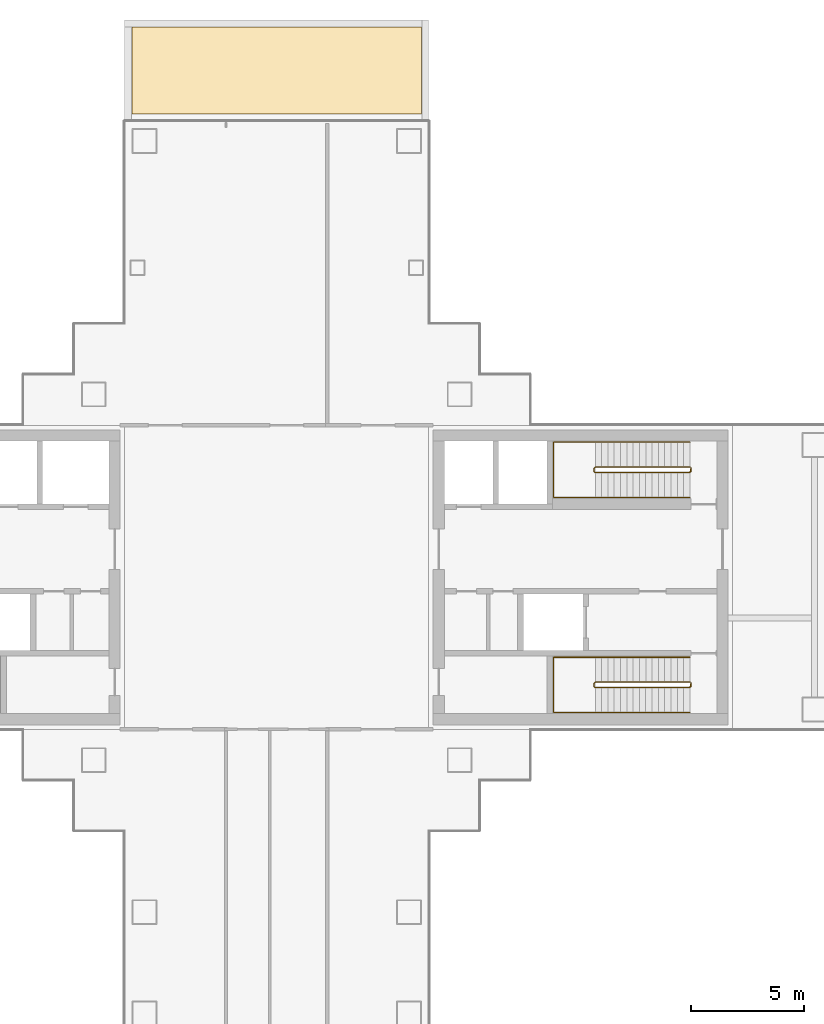
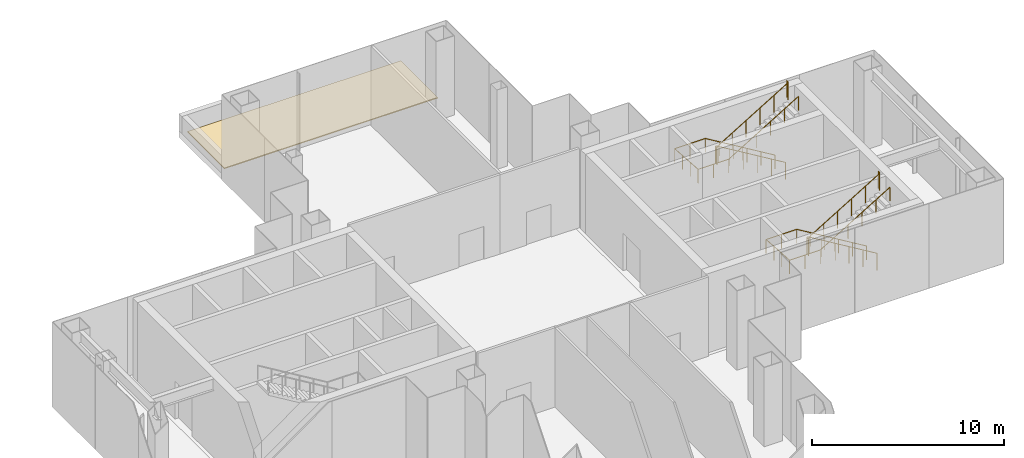
# One storey, part 15 of 15: 4 railings, 1 covering.
"""IFC4 building model written with IfcOpenShell, lengths in metres."""

import ifcopenshell
import ifcopenshell.guid

model = None  # the IFC model being written
_history = None  # IfcOwnerHistory: only IFC2X3 demands one
_inside = {}  # id of a spatial element -> (the spatial element, [elements in it])
_under = {}  # id of a project, library or spatial element -> (it, [spatial elements below it])
_declared = {}  # id of a project -> (the project, [libraries it declares])
_typed = {}  # id of a type object -> (the type object, [elements of that type])
_made_of = {}  # id of a material, layer set ... -> (it, [elements and type objects made of it])


def new_model(schema):
    """Start an empty IFC model of exactly this schema.

    Asked for "IFC4X3", IfcOpenShell would pick the latest addendum, in which some entities
    have other attributes; the version numbers below select the first issue.
    IFC2X3 requires an IfcOwnerHistory on every rooted entity: one is made here for all.
    """
    global model, _history
    if schema == "IFC4X3":
        model = ifcopenshell.file(schema_version=(4, 3, 0, 0))
    else:
        model = ifcopenshell.file(schema=schema)
    _inside.clear()
    _under.clear()
    _declared.clear()
    _typed.clear()
    _made_of.clear()
    _history = None
    if model.schema == "IFC2X3":
        org = make("IfcOrganization", Name="unknown")
        user = make(
            "IfcPersonAndOrganization",
            ThePerson=make("IfcPerson", FamilyName="unknown"),
            TheOrganization=org,
        )
        app = make(
            "IfcApplication",
            ApplicationDeveloper=org,
            Version="unknown",
            ApplicationFullName="unknown",
            ApplicationIdentifier="unknown",
        )
        _history = make(
            "IfcOwnerHistory",
            OwningUser=user,
            OwningApplication=app,
            ChangeAction="ADDED",
            CreationDate=0,
        )
    return model


def make(cls, **values):
    """One entity of the class cls with the attributes given. An attribute that is None is left unset."""
    return model.create_entity(
        cls, **{name: value for name, value in values.items() if value is not None}
    )


def rooted(cls, **values):
    """An entity with a GlobalId (a new one), such as an element, a storey or a relation."""
    return make(cls, GlobalId=ifcopenshell.guid.new(), OwnerHistory=_history, **values)


def si_unit(unit_type, name, prefix=None):
    """IfcSIUnit, for example si_unit("LENGTHUNIT", "METRE", prefix="MILLI")."""
    return make("IfcSIUnit", UnitType=unit_type, Prefix=prefix, Name=name)


def assignment(units):
    """IfcUnitAssignment: the units of a project."""
    return None if units is None else make("IfcUnitAssignment", Units=units)


def point(xyz):
    """IfcCartesianPoint."""
    return None if xyz is None else make("IfcCartesianPoint", Coordinates=xyz)


def direction(xyz):
    """IfcDirection."""
    return None if xyz is None else make("IfcDirection", DirectionRatios=xyz)


def frame(location, z_axis=None, x_axis=None):
    """IfcAxis2Placement3D, a coordinate frame: its origin and axes. An axis left out is left unset."""
    return make(
        "IfcAxis2Placement3D",
        Location=point(location),
        Axis=direction(z_axis),
        RefDirection=direction(x_axis),
    )


def frame_2d(location, x_axis=None):
    """IfcAxis2Placement2D, a coordinate frame in the plane: its origin and x axis."""
    return make(
        "IfcAxis2Placement2D", Location=point(location), RefDirection=direction(x_axis)
    )


def origin():
    """The frame at (0, 0, 0) with its axes left unset."""
    return frame((0.0, 0.0, 0.0))


def origin_2d():
    """The frame at (0, 0) in the plane with its x axis left unset."""
    return frame_2d((0.0, 0.0))


def place(relative_to, where):
    """IfcLocalPlacement: puts the frame where relative to a parent placement (None: the world)."""
    return make(
        "IfcLocalPlacement", PlacementRelTo=relative_to, RelativePlacement=where
    )


def context(
    kind, dimensions, precision=None, world=None, true_north=None, identifier=None
):
    """IfcGeometricRepresentationContext, for example the 3D "Model" context."""
    return make(
        "IfcGeometricRepresentationContext",
        ContextIdentifier=identifier,
        ContextType=kind,
        CoordinateSpaceDimension=dimensions,
        Precision=precision,
        WorldCoordinateSystem=world,
        TrueNorth=true_north,
    )


def subcontext(parent, identifier, kind, view, scale=None):
    """IfcGeometricRepresentationSubContext, for example "Body" below "Model"."""
    return make(
        "IfcGeometricRepresentationSubContext",
        ContextIdentifier=identifier,
        ContextType=kind,
        ParentContext=parent,
        TargetScale=scale,
        TargetView=view,
    )


def project(units=None, contexts=None):
    """IfcProject with its units and contexts."""
    return rooted(
        "IfcProject",
        Name="project",
        RepresentationContexts=contexts,
        UnitsInContext=assignment(units),
    )


def spatial(cls, under=None, at=None, **own):
    """A site, building, storey or space (cls), placed at a placement, below another one or the project."""
    s = rooted(cls, ObjectPlacement=at, **own)
    if under is not None:
        _under.setdefault(under.id(), (under, []))[1].append(s)
    return s


def polyline(points):
    """IfcPolyline through the points."""
    return make("IfcPolyline", Points=[point(p) for p in points])


def profile(cls, at=None, kind="AREA", **sizes):
    """A parametric profile (cls). Its sizes go by their IFC names, for example OverallWidth=200.0."""
    return make(cls, ProfileType=kind, Position=at, **sizes)


def circle(**sizes):
    """IfcCircleProfileDef."""
    return profile("IfcCircleProfileDef", **sizes)


def outline(outer, holes=None, kind="AREA"):
    """IfcArbitraryClosedProfileDef: a profile drawn as a closed curve; with holes, ...WithVoids."""
    if holes is None:
        return make("IfcArbitraryClosedProfileDef", ProfileType=kind, OuterCurve=outer)
    return make(
        "IfcArbitraryProfileDefWithVoids",
        ProfileType=kind,
        OuterCurve=outer,
        InnerCurves=holes,
    )


def extrude(swept, where, along, depth):
    """IfcExtrudedAreaSolid: the profile swept, set in the frame where, extruded along a direction by depth."""
    return make(
        "IfcExtrudedAreaSolid",
        SweptArea=swept,
        Position=where,
        ExtrudedDirection=direction(along),
        Depth=depth,
    )


def shape(context_of_items, identifier, shape_type, items):
    """IfcShapeRepresentation: the items that make up one representation, for example the "Body"."""
    return make(
        "IfcShapeRepresentation",
        ContextOfItems=context_of_items,
        RepresentationIdentifier=identifier,
        RepresentationType=shape_type,
        Items=items,
    )


def material(Name=None, Category=None):
    """IfcMaterial."""
    return make("IfcMaterial", Name=Name, Category=Category)


def layer(
    of_material, thickness, ventilated=None, Name=None, Category=None, Priority=None
):
    """IfcMaterialLayer: one layer of a wall or slab, of a material (None: an air gap)."""
    return make(
        "IfcMaterialLayer",
        Material=of_material,
        LayerThickness=thickness,
        IsVentilated=ventilated,
        Name=Name,
        Category=Category,
        Priority=Priority,
    )


def layer_set(layers, Name=None):
    """IfcMaterialLayerSet."""
    return make("IfcMaterialLayerSet", MaterialLayers=layers, LayerSetName=Name)


def made_of(thing, what):
    """Note that an element or type object is made of a material, layer set ...; save() writes the relation."""
    if what is not None:
        _made_of.setdefault(what.id(), (what, []))[1].append(thing)
    return thing


def type_object(cls, material=None, **own):
    """A type object (cls), such as IfcWallType, which elements share."""
    return made_of(rooted(cls, **own), material)


def element(
    cls,
    number,
    at=None,
    inside=None,
    cuts=None,
    type_object=None,
    material=None,
    context=None,
    identifier="Body",
    shape_type=None,
    held_by="IfcProductDefinitionShape",
    body=None,
    shapes=None,
    **own,
):
    """One element of the class cls, such as IfcWall. Its Tag is "e" and its number.

    at: its placement. inside: the storey or other place that contains it. cuts: it is an
    opening in that element (IfcRelVoidsElement). A single representation is given by context,
    identifier, shape_type and body (its items); several are given by shapes. held_by: the class
    of the entity that holds the representations. save() writes the other relations.
    """
    e = rooted(cls, Tag="e%d" % number, ObjectPlacement=at, **own)
    if body is not None:
        shapes = [shape(context, identifier, shape_type, body)]
    if shapes is not None:
        e.Representation = make(held_by, Representations=shapes)
    if inside is not None:
        _inside.setdefault(inside.id(), (inside, []))[1].append(e)
    if cuts is not None:
        rooted(
            "IfcRelVoidsElement", RelatingBuildingElement=cuts, RelatedOpeningElement=e
        )
    if type_object is not None:
        _typed.setdefault(type_object.id(), (type_object, []))[1].append(e)
    return made_of(e, material)


def aggregate(whole, parts):
    """IfcRelAggregates: a whole, such as a stair, and the parts it consists of."""
    return rooted("IfcRelAggregates", RelatingObject=whole, RelatedObjects=parts)


def save(model, path):
    """Write the relations noted so far, then the file.

    IfcRelAggregates (storeys below a building ...), IfcRelContainedInSpatialStructure (elements
    in a storey), IfcRelDefinesByType, IfcRelAssociatesMaterial and IfcRelDeclares: one each for
    every whole, place, type object, material and project.
    """
    for whole, parts in _under.values():
        aggregate(whole, parts)
    for where, things in _inside.values():
        rooted(
            "IfcRelContainedInSpatialStructure",
            RelatedElements=things,
            RelatingStructure=where,
        )
    for kind, things in _typed.values():
        rooted("IfcRelDefinesByType", RelatedObjects=things, RelatingType=kind)
    for what, things in _made_of.values():
        rooted("IfcRelAssociatesMaterial", RelatedObjects=things, RelatingMaterial=what)
    for by, libraries in _declared.values():
        rooted("IfcRelDeclares", RelatingContext=by, RelatedDefinitions=libraries)
    model.write(path)


model = new_model("IFC4")

# Units and contexts
model_context = context("Model", 3, precision=1e-05, world=origin(), true_north=direction((0.0, 1.0)))
body_context = subcontext(model_context, "Body", "Model", "MODEL_VIEW")
ifc_project = project(units=[si_unit("LENGTHUNIT", "METRE"), si_unit("AREAUNIT", "SQUARE_METRE"), si_unit("VOLUMEUNIT", "CUBIC_METRE"), si_unit("PLANEANGLEUNIT", "RADIAN"), si_unit("MASSUNIT", "GRAM", prefix="KILO")], contexts=[model_context])

# Site, building, storey
site_placement = place(None, origin())
site = spatial("IfcSite", under=ifc_project, at=site_placement, CompositionType="ELEMENT")
building_placement = place(site_placement, origin())
building = spatial("IfcBuilding", under=site, at=building_placement, Name="Shamsa Quay Exchange Towers", CompositionType="ELEMENT")
storey_placement = place(building_placement, frame((0.0, 0.0, 133.5)))
storey = spatial("IfcBuildingStorey", under=building, at=storey_placement, Name="L31", CompositionType="ELEMENT", Elevation=133.5)

# Covering
ifc_material_1 = material(Name="Bituminous waterproofing membrane with ballast")
ifc_layer = layer(ifc_material_1, 0.06005859375)
ifc_layer_set = layer_set([ifc_layer], Name="ROOF MEMBRANE 60")
covering_type = type_object("IfcCoveringType", Name="ROOF MEMBRANE 60", PredefinedType="ROOFING", material=ifc_layer_set)
covering_placement = place(storey_placement, origin())
element("IfcCovering", 1, at=covering_placement, inside=storey, type_object=covering_type, Name="Roof membrane 2.1", PredefinedType="ROOFING", context=body_context, shape_type="SweptSolid", body=[
    extrude(outline(polyline([(40.179931640625, 24.429931640625), (40.179931640625, 20.570068359375), (27.320068359375, 20.570068359375), (27.320068359375, 24.429931640625), (40.179931640625, 24.429931640625)])), origin(), (0.0, 0.0, 1.0), 0.06005859375),
])

# Railings
ifc_material_2 = material(Name="Stainless steel", Category="steel")
railing_type_1 = type_object("IfcRailingType", Name="STAIR GUARD 1100", PredefinedType="GUARDRAIL", material=ifc_material_2)
railing_1_placement = place(storey_placement, frame((52.10009765625, -4.64990234375, 0.168701171875)))
element("IfcRailing", 2, at=railing_1_placement, inside=storey, type_object=railing_type_1, Name="L31 ST5 stair guard 1", PredefinedType="GUARDRAIL", context=body_context, shape_type="SweptSolid", body=[
    extrude(circle(Radius=0.02392578125, at=origin_2d()), frame((0.0, 0.0, 1.076171875), z_axis=(-0.856489757249, 0.0, 0.516164020179), x_axis=(0.0, -1.0, 0.0)), (0.0, 0.0, 1.0), 4.904052734375),
    extrude(circle(Radius=0.02392578125, at=origin_2d()), frame((-4.2001953125, 0.0, 3.607421875), z_axis=(-0.705375805398, -0.708833529934, 0.0), x_axis=(0.708833529934, -0.705375805398, 0.0)), (0.0, 0.0, 1.0), 0.070556640625),
    extrude(circle(Radius=0.02392578125, at=origin_2d()), frame((-4.25, -0.050048828125, 3.607421875), z_axis=(0.0, -1.0, 0.0), x_axis=(1.0, 0.0, 0.0)), (0.0, 0.0, 1.0), 0.150146484375),
    extrude(circle(Radius=0.02392578125, at=origin_2d()), frame((-4.25, -0.2001953125, 3.607421875), z_axis=(0.272433089069, -0.272433089069, 0.922800316407), x_axis=(0.707106781187, 0.707106781187, 0.0)), (0.0, 0.0, 1.0), 0.182861328125),
    extrude(circle(Radius=0.02392578125, at=origin_2d()), frame((-4.2001953125, -0.25, 3.77587890625), z_axis=(0.856489757249, 0.0, 0.516164020179), x_axis=(0.0, 1.0, 0.0)), (0.0, 0.0, 1.0), 4.904052734375),
    extrude(circle(Radius=0.02392578125, at=origin_2d()), frame((0.0, -0.25, 6.30712890625), z_axis=(0.241699205484, 0.970351222016, 0.0), x_axis=(-0.970351222016, 0.241699205484, 0.0)), (0.0, 0.0, 1.0), 0.2060546875),
    extrude(circle(Radius=0.02392578125, at=origin_2d()), frame((0.0498046875, -0.050048828125, 6.30712890625), z_axis=(0.0, -1.0, 0.0), x_axis=(1.0, 0.0, 0.0)), (0.0, 0.0, 1.0), 0.150146484375),
    extrude(circle(Radius=0.02099609375, at=origin_2d()), origin(), (0.0, 0.0, 1.0), 1.052001953125),
    extrude(circle(Radius=0.02099609375, at=origin_2d()), frame((-0.840087890625, 0.0, 0.50634765625)), (0.0, 0.0, 1.0), 1.052001953125),
    extrude(circle(Radius=0.02099609375, at=origin_2d()), frame((-1.68017578125, 0.0, 1.012451171875)), (0.0, 0.0, 1.0), 1.052001953125),
    extrude(circle(Radius=0.02099609375, at=origin_2d()), frame((-2.52001953125, 0.0, 1.518798828125)), (0.0, 0.0, 1.0), 1.052001953125),
    extrude(circle(Radius=0.02099609375, at=origin_2d()), frame((-3.360107421875, 0.0, 2.02490234375)), (0.0, 0.0, 1.0), 1.052001953125),
    extrude(circle(Radius=0.02099609375, at=origin_2d()), frame((-4.2001953125, 0.0, 2.53125)), (0.0, 0.0, 1.0), 1.052001953125),
    extrude(circle(Radius=0.02099609375, at=origin_2d()), frame((-4.25, -0.050048828125, 2.53125)), (0.0, 0.0, 1.0), 1.052001953125),
    extrude(circle(Radius=0.02099609375, at=origin_2d()), frame((-4.25, -0.2001953125, 2.53125)), (0.0, 0.0, 1.0), 1.052001953125),
    extrude(circle(Radius=0.02099609375, at=origin_2d()), frame((-4.2001953125, -0.25, 2.699951171875)), (0.0, 0.0, 1.0), 1.052001953125),
    extrude(circle(Radius=0.02099609375, at=origin_2d()), frame((-3.360107421875, -0.25, 3.206298828125)), (0.0, 0.0, 1.0), 1.052001953125),
    extrude(circle(Radius=0.02099609375, at=origin_2d()), frame((-2.52001953125, -0.25, 3.71240234375)), (0.0, 0.0, 1.0), 1.052001953125),
    extrude(circle(Radius=0.02099609375, at=origin_2d()), frame((-1.68017578125, -0.25, 4.21875)), (0.0, 0.0, 1.0), 1.052001953125),
    extrude(circle(Radius=0.02099609375, at=origin_2d()), frame((-0.840087890625, -0.25, 4.724853515625)), (0.0, 0.0, 1.0), 1.052001953125),
    extrude(circle(Radius=0.02099609375, at=origin_2d()), frame((0.0, -0.25, 5.231201171875)), (0.0, 0.0, 1.0), 1.052001953125),
    extrude(circle(Radius=0.02099609375, at=origin_2d()), frame((0.0498046875, -0.050048828125, 5.231201171875)), (0.0, 0.0, 1.0), 1.052001953125),
    extrude(circle(Radius=0.02099609375, at=origin_2d()), frame((0.0498046875, -0.2001953125, 5.231201171875)), (0.0, 0.0, 1.0), 1.052001953125),
])
railing_2_placement = place(storey_placement, frame((52.10009765625, 4.89990234375, 0.168701171875)))
element("IfcRailing", 3, at=railing_2_placement, inside=storey, type_object=railing_type_1, Name="L31 ST6 stair guard 1", PredefinedType="GUARDRAIL", context=body_context, shape_type="SweptSolid", body=[
    extrude(circle(Radius=0.02392578125, at=origin_2d()), frame((0.0, 0.0, 1.076171875), z_axis=(-0.856489757249, 0.0, 0.516164020179), x_axis=(0.0, -1.0, 0.0)), (0.0, 0.0, 1.0), 4.904052734375),
    extrude(circle(Radius=0.02392578125, at=origin_2d()), frame((-4.2001953125, 0.0, 3.607421875), z_axis=(-0.707106781187, -0.707106781187, 0.0), x_axis=(0.707106781187, -0.707106781187, 0.0)), (0.0, 0.0, 1.0), 0.0703125),
    extrude(circle(Radius=0.02392578125, at=origin_2d()), frame((-4.25, -0.0498046875, 3.607421875), z_axis=(0.0, -1.0, 0.0), x_axis=(1.0, 0.0, 0.0)), (0.0, 0.0, 1.0), 0.150146484375),
    extrude(circle(Radius=0.02392578125, at=origin_2d()), frame((-4.25, -0.199951171875, 3.607421875), z_axis=(0.272333783174, -0.273668752699, 0.922463942026), x_axis=(0.708833529934, 0.705375805398, 0.0)), (0.0, 0.0, 1.0), 0.182861328125),
    extrude(circle(Radius=0.02392578125, at=origin_2d()), frame((-4.2001953125, -0.25, 3.77587890625), z_axis=(0.856489757249, 0.0, 0.516164020179), x_axis=(0.0, 1.0, 0.0)), (0.0, 0.0, 1.0), 4.904052734375),
    extrude(circle(Radius=0.02392578125, at=origin_2d()), frame((0.0, -0.25, 6.30712890625), z_axis=(0.24142163986, 0.970420317083, 0.0), x_axis=(-0.970420317083, 0.24142163986, 0.0)), (0.0, 0.0, 1.0), 0.206298828125),
    extrude(circle(Radius=0.02392578125, at=origin_2d()), frame((0.0498046875, -0.0498046875, 6.30712890625), z_axis=(0.0, -1.0, 0.0), x_axis=(1.0, 0.0, 0.0)), (0.0, 0.0, 1.0), 0.150146484375),
    extrude(circle(Radius=0.02099609375, at=origin_2d()), origin(), (0.0, 0.0, 1.0), 1.052001953125),
    extrude(circle(Radius=0.02099609375, at=origin_2d()), frame((-0.840087890625, 0.0, 0.50634765625)), (0.0, 0.0, 1.0), 1.052001953125),
    extrude(circle(Radius=0.02099609375, at=origin_2d()), frame((-1.68017578125, 0.0, 1.012451171875)), (0.0, 0.0, 1.0), 1.052001953125),
    extrude(circle(Radius=0.02099609375, at=origin_2d()), frame((-2.52001953125, 0.0, 1.518798828125)), (0.0, 0.0, 1.0), 1.052001953125),
    extrude(circle(Radius=0.02099609375, at=origin_2d()), frame((-3.360107421875, 0.0, 2.02490234375)), (0.0, 0.0, 1.0), 1.052001953125),
    extrude(circle(Radius=0.02099609375, at=origin_2d()), frame((-4.2001953125, 0.0, 2.53125)), (0.0, 0.0, 1.0), 1.052001953125),
    extrude(circle(Radius=0.02099609375, at=origin_2d()), frame((-4.25, -0.0498046875, 2.53125)), (0.0, 0.0, 1.0), 1.052001953125),
    extrude(circle(Radius=0.02099609375, at=origin_2d()), frame((-4.25, -0.199951171875, 2.53125)), (0.0, 0.0, 1.0), 1.052001953125),
    extrude(circle(Radius=0.02099609375, at=origin_2d()), frame((-4.2001953125, -0.25, 2.699951171875)), (0.0, 0.0, 1.0), 1.052001953125),
    extrude(circle(Radius=0.02099609375, at=origin_2d()), frame((-3.360107421875, -0.25, 3.206298828125)), (0.0, 0.0, 1.0), 1.052001953125),
    extrude(circle(Radius=0.02099609375, at=origin_2d()), frame((-2.52001953125, -0.25, 3.71240234375)), (0.0, 0.0, 1.0), 1.052001953125),
    extrude(circle(Radius=0.02099609375, at=origin_2d()), frame((-1.68017578125, -0.25, 4.21875)), (0.0, 0.0, 1.0), 1.052001953125),
    extrude(circle(Radius=0.02099609375, at=origin_2d()), frame((-0.840087890625, -0.25, 4.724853515625)), (0.0, 0.0, 1.0), 1.052001953125),
    extrude(circle(Radius=0.02099609375, at=origin_2d()), frame((0.0, -0.25, 5.231201171875)), (0.0, 0.0, 1.0), 1.052001953125),
    extrude(circle(Radius=0.02099609375, at=origin_2d()), frame((0.0498046875, -0.0498046875, 5.231201171875)), (0.0, 0.0, 1.0), 1.052001953125),
    extrude(circle(Radius=0.02099609375, at=origin_2d()), frame((0.0498046875, -0.199951171875, 5.231201171875)), (0.0, 0.0, 1.0), 1.052001953125),
])
railing_type_2 = type_object("IfcRailingType", Name="STAIR HANDRAIL 900", PredefinedType="HANDRAIL", material=ifc_material_2)
railing_3_placement = place(storey_placement, frame((52.10009765625, -3.550048828125, 0.168701171875)))
element("IfcRailing", 4, at=railing_3_placement, inside=storey, type_object=railing_type_2, Name="L31 ST5 stair handrail 1", PredefinedType="HANDRAIL", context=body_context, shape_type="SweptSolid", body=[
    extrude(circle(Radius=0.02392578125, at=origin_2d()), frame((0.0, 0.0, 0.8759765625), z_axis=(-0.856489757249, 0.0, 0.516164020179), x_axis=(0.0, -1.0, 0.0)), (0.0, 0.0, 1.0), 4.904052734375),
    extrude(circle(Radius=0.02392578125, at=origin_2d()), frame((-4.2001953125, 0.0, 3.4072265625), z_axis=(-1.0, 0.0, 0.0), x_axis=(0.0, -1.0, 0.0)), (0.0, 0.0, 1.0), 1.849853515625),
    extrude(circle(Radius=0.02392578125, at=origin_2d()), frame((-6.050048828125, 0.0, 3.4072265625), z_axis=(0.0, -0.99763761723, 0.068696322223), x_axis=(1.0, 0.0, 0.0)), (0.0, 0.0, 1.0), 2.455810546875),
    extrude(circle(Radius=0.02392578125, at=origin_2d()), frame((-6.050048828125, -2.449951171875, 3.57568359375), z_axis=(1.0, 0.0, 0.0), x_axis=(0.0, 1.0, 0.0)), (0.0, 0.0, 1.0), 1.849853515625),
    extrude(circle(Radius=0.02392578125, at=origin_2d()), frame((-4.2001953125, -2.449951171875, 3.57568359375), z_axis=(0.856489757249, 0.0, 0.516164020179), x_axis=(0.0, 1.0, 0.0)), (0.0, 0.0, 1.0), 4.904052734375),
    extrude(circle(Radius=0.02099609375, at=origin_2d()), origin(), (0.0, 0.0, 1.0), 0.851806640625),
    extrude(circle(Radius=0.02099609375, at=origin_2d()), frame((-0.840087890625, 0.0, 0.50634765625)), (0.0, 0.0, 1.0), 0.851806640625),
    extrude(circle(Radius=0.02099609375, at=origin_2d()), frame((-1.68017578125, 0.0, 1.012451171875)), (0.0, 0.0, 1.0), 0.851806640625),
    extrude(circle(Radius=0.02099609375, at=origin_2d()), frame((-2.52001953125, 0.0, 1.518798828125)), (0.0, 0.0, 1.0), 0.851806640625),
    extrude(circle(Radius=0.02099609375, at=origin_2d()), frame((-3.360107421875, 0.0, 2.02490234375)), (0.0, 0.0, 1.0), 0.851806640625),
    extrude(circle(Radius=0.02099609375, at=origin_2d()), frame((-4.2001953125, 0.0, 2.53125)), (0.0, 0.0, 1.0), 0.851806640625),
    extrude(circle(Radius=0.02099609375, at=origin_2d()), frame((-5.125, 0.0, 2.53125)), (0.0, 0.0, 1.0), 0.851806640625),
    extrude(circle(Radius=0.02099609375, at=origin_2d()), frame((-6.050048828125, 0.0, 2.53125)), (0.0, 0.0, 1.0), 0.851806640625),
    extrude(circle(Radius=0.02099609375, at=origin_2d()), frame((-6.050048828125, -0.816650390625, 2.58740234375)), (0.0, 0.0, 1.0), 0.851806640625),
    extrude(circle(Radius=0.02099609375, at=origin_2d()), frame((-6.050048828125, -1.63330078125, 2.643798828125)), (0.0, 0.0, 1.0), 0.851806640625),
    extrude(circle(Radius=0.02099609375, at=origin_2d()), frame((-6.050048828125, -2.449951171875, 2.699951171875)), (0.0, 0.0, 1.0), 0.851806640625),
    extrude(circle(Radius=0.02099609375, at=origin_2d()), frame((-5.125, -2.449951171875, 2.699951171875)), (0.0, 0.0, 1.0), 0.851806640625),
    extrude(circle(Radius=0.02099609375, at=origin_2d()), frame((-4.2001953125, -2.449951171875, 2.699951171875)), (0.0, 0.0, 1.0), 0.851806640625),
    extrude(circle(Radius=0.02099609375, at=origin_2d()), frame((-3.360107421875, -2.449951171875, 3.206298828125)), (0.0, 0.0, 1.0), 0.851806640625),
    extrude(circle(Radius=0.02099609375, at=origin_2d()), frame((-2.52001953125, -2.449951171875, 3.71240234375)), (0.0, 0.0, 1.0), 0.851806640625),
    extrude(circle(Radius=0.02099609375, at=origin_2d()), frame((-1.68017578125, -2.449951171875, 4.21875)), (0.0, 0.0, 1.0), 0.851806640625),
    extrude(circle(Radius=0.02099609375, at=origin_2d()), frame((-0.840087890625, -2.449951171875, 4.724853515625)), (0.0, 0.0, 1.0), 0.851806640625),
    extrude(circle(Radius=0.02099609375, at=origin_2d()), frame((0.0, -2.449951171875, 5.231201171875)), (0.0, 0.0, 1.0), 0.851806640625),
])
railing_4_placement = place(storey_placement, frame((52.10009765625, 6.0, 0.168701171875)))
element("IfcRailing", 5, at=railing_4_placement, inside=storey, type_object=railing_type_2, Name="L31 ST6 stair handrail 1", PredefinedType="HANDRAIL", context=body_context, shape_type="SweptSolid", body=[
    extrude(circle(Radius=0.02392578125, at=origin_2d()), frame((0.0, 0.0, 0.8759765625), z_axis=(-0.856489757249, 0.0, 0.516164020179), x_axis=(0.0, -1.0, 0.0)), (0.0, 0.0, 1.0), 4.904052734375),
    extrude(circle(Radius=0.02392578125, at=origin_2d()), frame((-4.2001953125, 0.0, 3.4072265625), z_axis=(-1.0, 0.0, 0.0), x_axis=(0.0, -1.0, 0.0)), (0.0, 0.0, 1.0), 1.849853515625),
    extrude(circle(Radius=0.02392578125, at=origin_2d()), frame((-6.050048828125, 0.0, 3.4072265625), z_axis=(0.0, -0.99763761723, 0.068696322223), x_axis=(1.0, 0.0, 0.0)), (0.0, 0.0, 1.0), 2.455810546875),
    extrude(circle(Radius=0.02392578125, at=origin_2d()), frame((-6.050048828125, -2.449951171875, 3.57568359375), z_axis=(1.0, 0.0, 0.0), x_axis=(0.0, 1.0, 0.0)), (0.0, 0.0, 1.0), 1.849853515625),
    extrude(circle(Radius=0.02392578125, at=origin_2d()), frame((-4.2001953125, -2.449951171875, 3.57568359375), z_axis=(0.856489757249, 0.0, 0.516164020179), x_axis=(0.0, 1.0, 0.0)), (0.0, 0.0, 1.0), 4.904052734375),
    extrude(circle(Radius=0.02099609375, at=origin_2d()), origin(), (0.0, 0.0, 1.0), 0.851806640625),
    extrude(circle(Radius=0.02099609375, at=origin_2d()), frame((-0.840087890625, 0.0, 0.50634765625)), (0.0, 0.0, 1.0), 0.851806640625),
    extrude(circle(Radius=0.02099609375, at=origin_2d()), frame((-1.68017578125, 0.0, 1.012451171875)), (0.0, 0.0, 1.0), 0.851806640625),
    extrude(circle(Radius=0.02099609375, at=origin_2d()), frame((-2.52001953125, 0.0, 1.518798828125)), (0.0, 0.0, 1.0), 0.851806640625),
    extrude(circle(Radius=0.02099609375, at=origin_2d()), frame((-3.360107421875, 0.0, 2.02490234375)), (0.0, 0.0, 1.0), 0.851806640625),
    extrude(circle(Radius=0.02099609375, at=origin_2d()), frame((-4.2001953125, 0.0, 2.53125)), (0.0, 0.0, 1.0), 0.851806640625),
    extrude(circle(Radius=0.02099609375, at=origin_2d()), frame((-5.125, 0.0, 2.53125)), (0.0, 0.0, 1.0), 0.851806640625),
    extrude(circle(Radius=0.02099609375, at=origin_2d()), frame((-6.050048828125, 0.0, 2.53125)), (0.0, 0.0, 1.0), 0.851806640625),
    extrude(circle(Radius=0.02099609375, at=origin_2d()), frame((-6.050048828125, -0.816650390625, 2.58740234375)), (0.0, 0.0, 1.0), 0.851806640625),
    extrude(circle(Radius=0.02099609375, at=origin_2d()), frame((-6.050048828125, -1.63330078125, 2.643798828125)), (0.0, 0.0, 1.0), 0.851806640625),
    extrude(circle(Radius=0.02099609375, at=origin_2d()), frame((-6.050048828125, -2.449951171875, 2.699951171875)), (0.0, 0.0, 1.0), 0.851806640625),
    extrude(circle(Radius=0.02099609375, at=origin_2d()), frame((-5.125, -2.449951171875, 2.699951171875)), (0.0, 0.0, 1.0), 0.851806640625),
    extrude(circle(Radius=0.02099609375, at=origin_2d()), frame((-4.2001953125, -2.449951171875, 2.699951171875)), (0.0, 0.0, 1.0), 0.851806640625),
    extrude(circle(Radius=0.02099609375, at=origin_2d()), frame((-3.360107421875, -2.449951171875, 3.206298828125)), (0.0, 0.0, 1.0), 0.851806640625),
    extrude(circle(Radius=0.02099609375, at=origin_2d()), frame((-2.52001953125, -2.449951171875, 3.71240234375)), (0.0, 0.0, 1.0), 0.851806640625),
    extrude(circle(Radius=0.02099609375, at=origin_2d()), frame((-1.68017578125, -2.449951171875, 4.21875)), (0.0, 0.0, 1.0), 0.851806640625),
    extrude(circle(Radius=0.02099609375, at=origin_2d()), frame((-0.840087890625, -2.449951171875, 4.724853515625)), (0.0, 0.0, 1.0), 0.851806640625),
    extrude(circle(Radius=0.02099609375, at=origin_2d()), frame((0.0, -2.449951171875, 5.231201171875)), (0.0, 0.0, 1.0), 0.851806640625),
])

save(model, "model.ifc")
